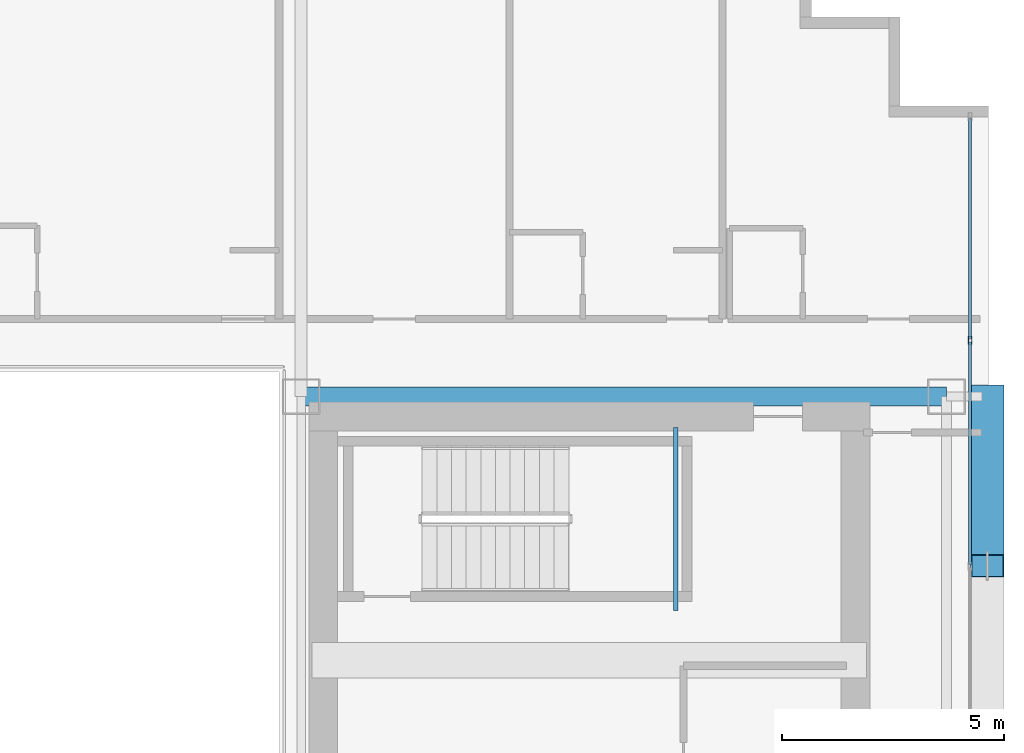
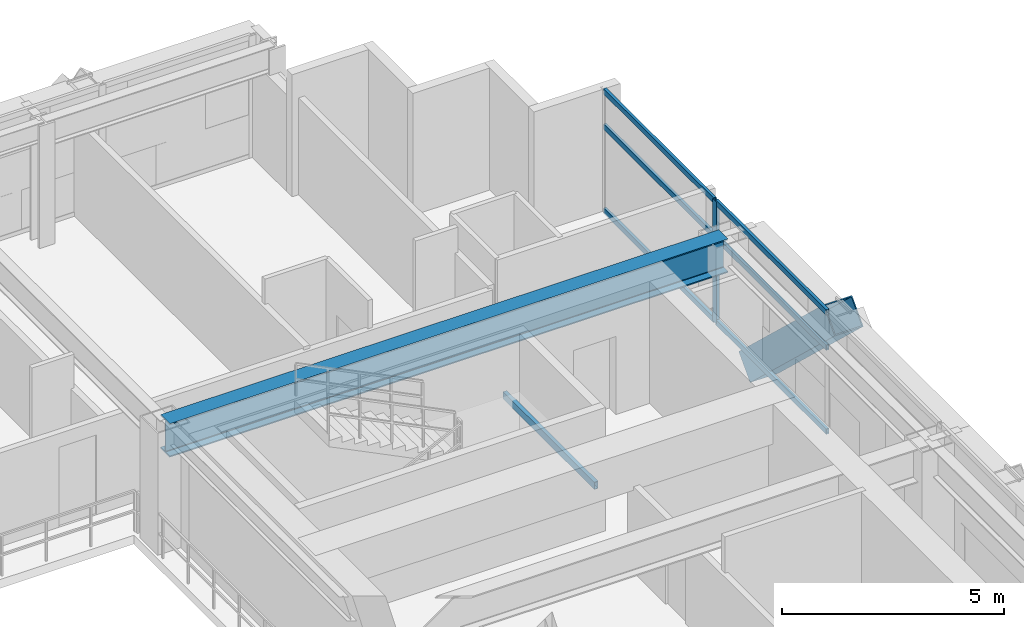
# One storey, part 20 of 35: 8 members, 2 beams, 1 element without a shape of its own.
"""IFC4 building model written with IfcOpenShell, lengths in metres."""

import ifcopenshell
import ifcopenshell.guid

model = None  # the IFC model being written
_history = None  # IfcOwnerHistory: only IFC2X3 demands one
_inside = {}  # id of a spatial element -> (the spatial element, [elements in it])
_under = {}  # id of a project, library or spatial element -> (it, [spatial elements below it])
_declared = {}  # id of a project -> (the project, [libraries it declares])
_typed = {}  # id of a type object -> (the type object, [elements of that type])
_made_of = {}  # id of a material, layer set ... -> (it, [elements and type objects made of it])


def new_model(schema):
    """Start an empty IFC model of exactly this schema.

    Asked for "IFC4X3", IfcOpenShell would pick the latest addendum, in which some entities
    have other attributes; the version numbers below select the first issue.
    IFC2X3 requires an IfcOwnerHistory on every rooted entity: one is made here for all.
    """
    global model, _history
    if schema == "IFC4X3":
        model = ifcopenshell.file(schema_version=(4, 3, 0, 0))
    else:
        model = ifcopenshell.file(schema=schema)
    _inside.clear()
    _under.clear()
    _declared.clear()
    _typed.clear()
    _made_of.clear()
    _history = None
    if model.schema == "IFC2X3":
        org = make("IfcOrganization", Name="unknown")
        user = make(
            "IfcPersonAndOrganization",
            ThePerson=make("IfcPerson", FamilyName="unknown"),
            TheOrganization=org,
        )
        app = make(
            "IfcApplication",
            ApplicationDeveloper=org,
            Version="unknown",
            ApplicationFullName="unknown",
            ApplicationIdentifier="unknown",
        )
        _history = make(
            "IfcOwnerHistory",
            OwningUser=user,
            OwningApplication=app,
            ChangeAction="ADDED",
            CreationDate=0,
        )
    return model


def make(cls, **values):
    """One entity of the class cls with the attributes given. An attribute that is None is left unset."""
    return model.create_entity(
        cls, **{name: value for name, value in values.items() if value is not None}
    )


def rooted(cls, **values):
    """An entity with a GlobalId (a new one), such as an element, a storey or a relation."""
    return make(cls, GlobalId=ifcopenshell.guid.new(), OwnerHistory=_history, **values)


def si_unit(unit_type, name, prefix=None):
    """IfcSIUnit, for example si_unit("LENGTHUNIT", "METRE", prefix="MILLI")."""
    return make("IfcSIUnit", UnitType=unit_type, Prefix=prefix, Name=name)


def assignment(units):
    """IfcUnitAssignment: the units of a project."""
    return None if units is None else make("IfcUnitAssignment", Units=units)


def point(xyz):
    """IfcCartesianPoint."""
    return None if xyz is None else make("IfcCartesianPoint", Coordinates=xyz)


def direction(xyz):
    """IfcDirection."""
    return None if xyz is None else make("IfcDirection", DirectionRatios=xyz)


def frame(location, z_axis=None, x_axis=None):
    """IfcAxis2Placement3D, a coordinate frame: its origin and axes. An axis left out is left unset."""
    return make(
        "IfcAxis2Placement3D",
        Location=point(location),
        Axis=direction(z_axis),
        RefDirection=direction(x_axis),
    )


def frame_2d(location, x_axis=None):
    """IfcAxis2Placement2D, a coordinate frame in the plane: its origin and x axis."""
    return make(
        "IfcAxis2Placement2D", Location=point(location), RefDirection=direction(x_axis)
    )


def origin():
    """The frame at (0, 0, 0) with its axes left unset."""
    return frame((0.0, 0.0, 0.0))


def origin_2d():
    """The frame at (0, 0) in the plane with its x axis left unset."""
    return frame_2d((0.0, 0.0))


def place(relative_to, where):
    """IfcLocalPlacement: puts the frame where relative to a parent placement (None: the world)."""
    return make(
        "IfcLocalPlacement", PlacementRelTo=relative_to, RelativePlacement=where
    )


def context(
    kind, dimensions, precision=None, world=None, true_north=None, identifier=None
):
    """IfcGeometricRepresentationContext, for example the 3D "Model" context."""
    return make(
        "IfcGeometricRepresentationContext",
        ContextIdentifier=identifier,
        ContextType=kind,
        CoordinateSpaceDimension=dimensions,
        Precision=precision,
        WorldCoordinateSystem=world,
        TrueNorth=true_north,
    )


def subcontext(parent, identifier, kind, view, scale=None):
    """IfcGeometricRepresentationSubContext, for example "Body" below "Model"."""
    return make(
        "IfcGeometricRepresentationSubContext",
        ContextIdentifier=identifier,
        ContextType=kind,
        ParentContext=parent,
        TargetScale=scale,
        TargetView=view,
    )


def project(units=None, contexts=None):
    """IfcProject with its units and contexts."""
    return rooted(
        "IfcProject",
        Name="project",
        RepresentationContexts=contexts,
        UnitsInContext=assignment(units),
    )


def spatial(cls, under=None, at=None, **own):
    """A site, building, storey or space (cls), placed at a placement, below another one or the project."""
    s = rooted(cls, ObjectPlacement=at, **own)
    if under is not None:
        _under.setdefault(under.id(), (under, []))[1].append(s)
    return s


def profile(cls, at=None, kind="AREA", **sizes):
    """A parametric profile (cls). Its sizes go by their IFC names, for example OverallWidth=200.0."""
    return make(cls, ProfileType=kind, Position=at, **sizes)


def hollow_rectangle(**sizes):
    """IfcRectangleHollowProfileDef."""
    return profile("IfcRectangleHollowProfileDef", **sizes)


def i_section(**sizes):
    """IfcIShapeProfileDef."""
    return profile("IfcIShapeProfileDef", **sizes)


def extrude(swept, where, along, depth):
    """IfcExtrudedAreaSolid: the profile swept, set in the frame where, extruded along a direction by depth."""
    return make(
        "IfcExtrudedAreaSolid",
        SweptArea=swept,
        Position=where,
        ExtrudedDirection=direction(along),
        Depth=depth,
    )


def shape(context_of_items, identifier, shape_type, items):
    """IfcShapeRepresentation: the items that make up one representation, for example the "Body"."""
    return make(
        "IfcShapeRepresentation",
        ContextOfItems=context_of_items,
        RepresentationIdentifier=identifier,
        RepresentationType=shape_type,
        Items=items,
    )


def source(mapping_origin, context_of_items, identifier, shape_type, items):
    """IfcRepresentationMap: a shape defined once, which mapped items show again and again."""
    return make(
        "IfcRepresentationMap",
        MappingOrigin=mapping_origin,
        MappedRepresentation=shape(context_of_items, identifier, shape_type, items),
    )


def transform(
    local_origin,
    x_axis=None,
    y_axis=None,
    z_axis=None,
    scale=None,
    scale2=None,
    scale3=None,
    uniform=True,
):
    """IfcCartesianTransformationOperator3D, or its non-uniform kind. x_axis, y_axis, z_axis: its Axis1, 2, 3."""
    if uniform:
        return make(
            "IfcCartesianTransformationOperator3D",
            Axis1=direction(x_axis),
            Axis2=direction(y_axis),
            LocalOrigin=point(local_origin),
            Scale=scale,
            Axis3=direction(z_axis),
        )
    return make(
        "IfcCartesianTransformationOperator3DnonUniform",
        Axis1=direction(x_axis),
        Axis2=direction(y_axis),
        LocalOrigin=point(local_origin),
        Scale=scale,
        Axis3=direction(z_axis),
        Scale2=scale2,
        Scale3=scale3,
    )


def mapped(mapping_source, mapping_target):
    """IfcMappedItem: shows the shape of a source again, moved by a transform."""
    return make(
        "IfcMappedItem", MappingSource=mapping_source, MappingTarget=mapping_target
    )


def material(Name=None, Category=None):
    """IfcMaterial."""
    return make("IfcMaterial", Name=Name, Category=Category)


def layer(
    of_material, thickness, ventilated=None, Name=None, Category=None, Priority=None
):
    """IfcMaterialLayer: one layer of a wall or slab, of a material (None: an air gap)."""
    return make(
        "IfcMaterialLayer",
        Material=of_material,
        LayerThickness=thickness,
        IsVentilated=ventilated,
        Name=Name,
        Category=Category,
        Priority=Priority,
    )


def layer_set(layers, Name=None):
    """IfcMaterialLayerSet."""
    return make("IfcMaterialLayerSet", MaterialLayers=layers, LayerSetName=Name)


def material_profile(
    of_material, cross_section, Name=None, Category=None, Priority=None
):
    """IfcMaterialProfile: a cross section and its material."""
    return make(
        "IfcMaterialProfile",
        Name=Name,
        Material=of_material,
        Profile=cross_section,
        Priority=Priority,
        Category=Category,
    )


def profile_set(profiles, Name=None, composite=None):
    """IfcMaterialProfileSet."""
    return make(
        "IfcMaterialProfileSet",
        Name=Name,
        MaterialProfiles=profiles,
        CompositeProfile=composite,
    )


def made_of(thing, what):
    """Note that an element or type object is made of a material, layer set ...; save() writes the relation."""
    if what is not None:
        _made_of.setdefault(what.id(), (what, []))[1].append(thing)
    return thing


def type_object(cls, material=None, **own):
    """A type object (cls), such as IfcWallType, which elements share."""
    return made_of(rooted(cls, **own), material)


def element(
    cls,
    number,
    at=None,
    inside=None,
    cuts=None,
    type_object=None,
    material=None,
    context=None,
    identifier="Body",
    shape_type=None,
    held_by="IfcProductDefinitionShape",
    body=None,
    shapes=None,
    **own,
):
    """One element of the class cls, such as IfcWall. Its Tag is "e" and its number.

    at: its placement. inside: the storey or other place that contains it. cuts: it is an
    opening in that element (IfcRelVoidsElement). A single representation is given by context,
    identifier, shape_type and body (its items); several are given by shapes. held_by: the class
    of the entity that holds the representations. save() writes the other relations.
    """
    e = rooted(cls, Tag="e%d" % number, ObjectPlacement=at, **own)
    if body is not None:
        shapes = [shape(context, identifier, shape_type, body)]
    if shapes is not None:
        e.Representation = make(held_by, Representations=shapes)
    if inside is not None:
        _inside.setdefault(inside.id(), (inside, []))[1].append(e)
    if cuts is not None:
        rooted(
            "IfcRelVoidsElement", RelatingBuildingElement=cuts, RelatedOpeningElement=e
        )
    if type_object is not None:
        _typed.setdefault(type_object.id(), (type_object, []))[1].append(e)
    return made_of(e, material)


def aggregate(whole, parts):
    """IfcRelAggregates: a whole, such as a stair, and the parts it consists of."""
    return rooted("IfcRelAggregates", RelatingObject=whole, RelatedObjects=parts)


def save(model, path):
    """Write the relations noted so far, then the file.

    IfcRelAggregates (storeys below a building ...), IfcRelContainedInSpatialStructure (elements
    in a storey), IfcRelDefinesByType, IfcRelAssociatesMaterial and IfcRelDeclares: one each for
    every whole, place, type object, material and project.
    """
    for whole, parts in _under.values():
        aggregate(whole, parts)
    for where, things in _inside.values():
        rooted(
            "IfcRelContainedInSpatialStructure",
            RelatedElements=things,
            RelatingStructure=where,
        )
    for kind, things in _typed.values():
        rooted("IfcRelDefinesByType", RelatedObjects=things, RelatingType=kind)
    for what, things in _made_of.values():
        rooted("IfcRelAssociatesMaterial", RelatedObjects=things, RelatingMaterial=what)
    for by, libraries in _declared.values():
        rooted("IfcRelDeclares", RelatingContext=by, RelatedDefinitions=libraries)
    model.write(path)


model = new_model("IFC4")

# Units and contexts
model_context = context("Model", 3, precision=1e-05, world=origin(), true_north=direction((0.0, 1.0)))
body_context = subcontext(model_context, "Body", "Model", "MODEL_VIEW")
ifc_project = project(units=[si_unit("LENGTHUNIT", "METRE"), si_unit("AREAUNIT", "SQUARE_METRE"), si_unit("VOLUMEUNIT", "CUBIC_METRE"), si_unit("PLANEANGLEUNIT", "RADIAN"), si_unit("MASSUNIT", "GRAM", prefix="KILO")], contexts=[model_context])

# Site, building, storey
site_placement = place(None, origin())
site = spatial("IfcSite", under=ifc_project, at=site_placement, CompositionType="ELEMENT")
building_placement = place(site_placement, origin())
building = spatial("IfcBuilding", under=site, at=building_placement, Name="Ocotamira Hotel", CompositionType="ELEMENT")
storey_placement = place(building_placement, frame((0.0, 0.0, 140.39990234375)))
storey = spatial("IfcBuildingStorey", under=building, at=storey_placement, Name="L35", CompositionType="ELEMENT", Elevation=140.39990234375)

# Beams
ifc_material_1 = material(Name="Steel ASTM A500 Grade C", Category="steel")
ifc_material_profile_1 = material_profile(ifc_material_1, hollow_rectangle(XDim=0.10009765625, YDim=0.199951171875, WallThickness=0.008056640625, at=origin_2d()), Name="HSS200X100X8")
ifc_profile_set_1 = profile_set([ifc_material_profile_1], Name="Steel ASTM A500 Grade C")
beam_type_1 = type_object("IfcBeamType", Name="BM-STLDG-HSS200", PredefinedType="BEAM", material=ifc_profile_set_1)
shared_shape_1 = source(origin(), body_context, "Body", "SweptSolid", [
    extrude(hollow_rectangle(XDim=0.10009765625, YDim=0.199951171875, WallThickness=0.008056640625, at=origin_2d()), origin(), (0.0, 0.0, 1.0), 4.1201171875),
])
beam_1_placement = place(storey_placement, frame((48.949951171875, 32.6298828125, 1.5), z_axis=(0.0, 1.0, 0.0), x_axis=(-1.0, 0.0, 0.0)))
element("IfcBeam", 1, at=beam_1_placement, inside=storey, type_object=beam_type_1, Name="L35 Stair ST-4 Landing Bearer 1", PredefinedType="BEAM", context=body_context, shape_type="MappedRepresentation", body=[
    mapped(shared_shape_1, transform((0.0, 0.0, 0.0), scale=1.0)),
])
ifc_material_2 = material(Name="Steel ASTM A992 Grade 50", Category="steel")
ifc_material_profile_2 = material_profile(ifc_material_2, i_section(OverallWidth=0.41796875, OverallDepth=0.927001953125, WebThickness=0.019287109375, FlangeThickness=0.031982421875, FilletRadius=0.02392578125, at=origin_2d()), Name="W36X231")
ifc_profile_set_2 = profile_set([ifc_material_profile_2], Name="Steel ASTM A992 Grade 50")
beam_type_2 = type_object("IfcBeamType", Name="BM-GIRD-W36X231", PredefinedType="BEAM", material=ifc_profile_set_2)
shared_shape_2 = source(origin(), body_context, "Body", "SweptSolid", [
    extrude(i_section(OverallWidth=0.41796875, OverallDepth=0.927001953125, WebThickness=0.019287109375, FlangeThickness=0.031982421875, FilletRadius=0.02392578125, at=origin_2d()), origin(), (0.0, 0.0, 1.0), 14.550048828125),
])
beam_2_placement = place(storey_placement, frame((40.5, 37.449951171875, 2.896484375), z_axis=(1.0, 0.0, 0.0), x_axis=(0.0, 1.0, 0.0)))
element("IfcBeam", 2, at=beam_2_placement, inside=storey, type_object=beam_type_2, Name="L35 Girder Y37.45 X40.5-55.05", PredefinedType="BEAM", context=body_context, shape_type="MappedRepresentation", body=[
    mapped(shared_shape_2, transform((0.0, 0.0, 0.0), scale=1.0)),
])

# Member
ifc_material_3 = material(Name="Pale-metal coated steel ASTM A913 Grade 65", Category="steel")
ifc_material_profile_3 = material_profile(ifc_material_3, hollow_rectangle(XDim=0.75, YDim=0.75, WallThickness=0.028076171875, at=origin_2d()), Name="BOX750X750X28")
ifc_profile_set_3 = profile_set([ifc_material_profile_3], Name="Pale-metal coated steel ASTM A913 Grade 65")
member_type_1 = type_object("IfcMemberType", Name="MEM-EXO-BOX750", PredefinedType="BRACE", material=ifc_profile_set_3)
shared_shape_3 = source(origin(), body_context, "Body", "SweptSolid", [
    extrude(hollow_rectangle(XDim=0.75, YDim=0.75, WallThickness=0.028076171875, at=origin_2d()), origin(), (0.0, 0.0, 1.0), 5.24658203125),
])
member_1_placement = place(storey_placement, frame((55.969970703125, 37.449951171875, -0.489990234375), z_axis=(0.0, -0.727442733726, 0.686168397078), x_axis=(1.0, 0.0, 0.0)))
element("IfcMember", 3, at=member_1_placement, inside=storey, type_object=member_type_1, Name="L35 Exoskeleton Diagrid E2.2", PredefinedType="BRACE", context=body_context, shape_type="MappedRepresentation", body=[
    mapped(shared_shape_3, transform((0.0, 0.0, 0.0), scale=1.0)),
])

# Curtain wall, members
ifc_material_4 = material(Name="Anodised pale-metal aluminium and solar glass", Category="aluminium")
ifc_layer = layer(ifc_material_4, 0.179931640625)
ifc_layer_set = layer_set([ifc_layer], Name="Anodised pale-metal aluminium and solar glass")
curtain_wall_type = type_object("IfcCurtainWallType", Name="CW-SYS3-Z2", PredefinedType="NOTDEFINED", material=ifc_layer_set)
curtain_wall_placement = place(storey_placement, origin())
curtain_wall = element("IfcCurtainWall", 4, at=curtain_wall_placement, inside=storey, type_object=curtain_wall_type, Name="L35 Curtain Wall CW-3 CW-L35-E", PredefinedType="NOTDEFINED")
ifc_material_5 = material(Name="Anodised pale-metal aluminium 6063-T6", Category="aluminium")
ifc_material_profile_4 = material_profile(ifc_material_5, hollow_rectangle(XDim=0.074951171875, YDim=0.14990234375, WallThickness=0.006103515625, at=origin_2d()), Name="HSS150X75X6")
ifc_profile_set_4 = profile_set([ifc_material_profile_4], Name="Anodised pale-metal aluminium 6063-T6")
member_type_2 = type_object("IfcMemberType", Name="CWT-150X75", PredefinedType="USERDEFINED", material=ifc_profile_set_4)
shared_shape_4 = source(origin(), body_context, "Body", "SweptSolid", [
    extrude(hollow_rectangle(XDim=0.074951171875, YDim=0.14990234375, WallThickness=0.006103515625, at=origin_2d()), origin(), (0.0, 0.0, 1.0), 4.965576171875),
])
member_2_placement = place(storey_placement, frame((55.580078125, 38.75439453125, 0.03759765625), z_axis=(0.0, 1.0, 0.0), x_axis=(-1.0, 0.0, 0.0)))
member_2 = element("IfcMember", 5, at=member_2_placement, type_object=member_type_2, Name="CW-3 transom 7.1", ObjectType="TRANSOM", PredefinedType="USERDEFINED", context=body_context, shape_type="MappedRepresentation", body=[
    mapped(shared_shape_4, transform((0.0, 0.0, 0.0), scale=1.0)),
])
member_3_placement = place(storey_placement, frame((55.580078125, 38.75439453125, 2.35009765625), z_axis=(0.0, 1.0, 0.0), x_axis=(-1.0, 0.0, 0.0)))
member_3 = element("IfcMember", 6, at=member_3_placement, type_object=member_type_2, Name="CW-3 transom 7.2", ObjectType="TRANSOM", PredefinedType="USERDEFINED", context=body_context, shape_type="MappedRepresentation", body=[
    mapped(shared_shape_4, transform((0.0, 0.0, 0.0), scale=1.0)),
])
member_4_placement = place(storey_placement, frame((55.580078125, 38.75439453125, 3.322509765625), z_axis=(0.0, 1.0, 0.0), x_axis=(-1.0, 0.0, 0.0)))
member_4 = element("IfcMember", 7, at=member_4_placement, type_object=member_type_2, Name="CW-3 transom 7.3", ObjectType="TRANSOM", PredefinedType="USERDEFINED", context=body_context, shape_type="MappedRepresentation", body=[
    mapped(shared_shape_4, transform((0.0, 0.0, 0.0), scale=1.0)),
])
shared_shape_5 = source(origin(), body_context, "Body", "SweptSolid", [
    extrude(hollow_rectangle(XDim=0.074951171875, YDim=0.14990234375, WallThickness=0.006103515625, at=origin_2d()), origin(), (0.0, 0.0, 1.0), 5.005859375),
])
member_5_placement = place(storey_placement, frame((55.580078125, 33.66845703125, 0.03759765625), z_axis=(0.0, 1.0, 0.0), x_axis=(-1.0, 0.0, 0.0)))
member_5 = element("IfcMember", 8, at=member_5_placement, type_object=member_type_2, Name="CW-3 transom 6.1", ObjectType="TRANSOM", PredefinedType="USERDEFINED", context=body_context, shape_type="MappedRepresentation", body=[
    mapped(shared_shape_5, transform((0.0, 0.0, 0.0), scale=1.0)),
])
member_6_placement = place(storey_placement, frame((55.580078125, 33.66845703125, 2.35009765625), z_axis=(0.0, 1.0, 0.0), x_axis=(-1.0, 0.0, 0.0)))
member_6 = element("IfcMember", 9, at=member_6_placement, type_object=member_type_2, Name="CW-3 transom 6.2", ObjectType="TRANSOM", PredefinedType="USERDEFINED", context=body_context, shape_type="MappedRepresentation", body=[
    mapped(shared_shape_5, transform((0.0, 0.0, 0.0), scale=1.0)),
])
member_7_placement = place(storey_placement, frame((55.580078125, 33.66845703125, 3.322509765625), z_axis=(0.0, 1.0, 0.0), x_axis=(-1.0, 0.0, 0.0)))
member_7 = element("IfcMember", 10, at=member_7_placement, type_object=member_type_2, Name="CW-3 transom 6.3", ObjectType="TRANSOM", PredefinedType="USERDEFINED", context=body_context, shape_type="MappedRepresentation", body=[
    mapped(shared_shape_5, transform((0.0, 0.0, 0.0), scale=1.0)),
])
ifc_material_profile_5 = material_profile(ifc_material_5, hollow_rectangle(XDim=0.080078125, YDim=0.179931640625, WallThickness=0.006103515625, at=origin_2d()), Name="HSS180X80X6")
ifc_profile_set_5 = profile_set([ifc_material_profile_5], Name="Anodised pale-metal aluminium 6063-T6")
member_type_3 = type_object("IfcMemberType", Name="CWM-180X75", PredefinedType="MULLION", material=ifc_profile_set_5)
shared_shape_6 = source(origin(), body_context, "Body", "SweptSolid", [
    extrude(hollow_rectangle(XDim=0.080078125, YDim=0.179931640625, WallThickness=0.006103515625, at=origin_2d()), origin(), (0.0, 0.0, 1.0), 3.360107421875),
])
member_8_placement = place(storey_placement, frame((55.580078125, 38.71435546875, 0.0), z_axis=(0.0, 0.0, 1.0), x_axis=(-1.0, 0.0, 0.0)))
member_8 = element("IfcMember", 11, at=member_8_placement, type_object=member_type_3, Name="CW-3 mullion 7", PredefinedType="MULLION", context=body_context, shape_type="MappedRepresentation", body=[
    mapped(shared_shape_6, transform((0.0, 0.0, 0.0), scale=1.0)),
])
aggregate(curtain_wall, [member_8, member_5, member_6, member_7, member_2, member_3, member_4])

save(model, "model.ifc")
